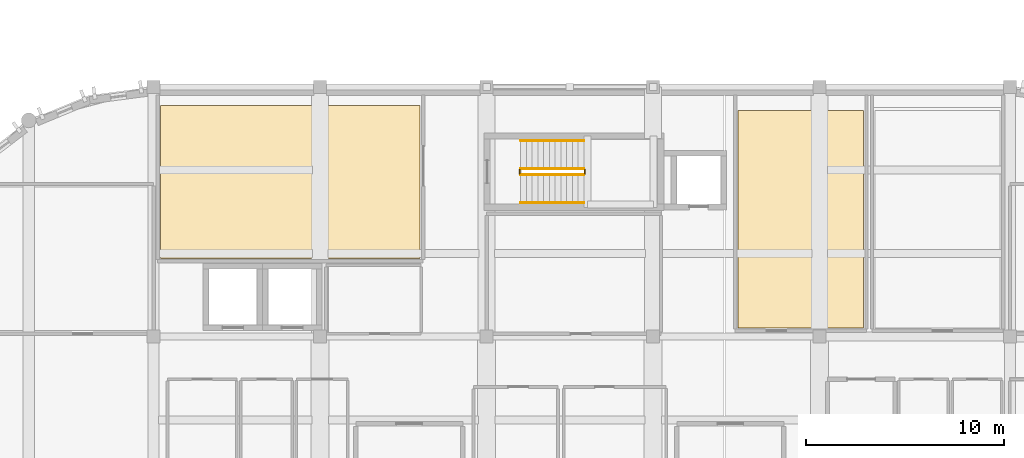
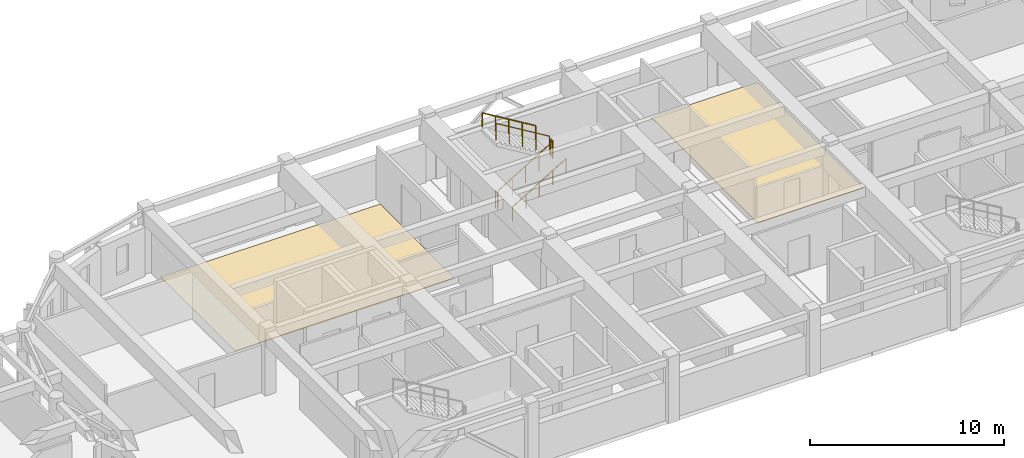
# One storey, part 30 of 31: 6 railings, 2 coverings.
"""IFC4 building model written with IfcOpenShell, lengths in metres."""

from ifc_helpers import new_model, si_unit, direction, frame, origin, origin_2d, place, context, subcontext, project, spatial, polyline, circle, outline, extrude, material, layer, layer_set, type_object, element, save


model = new_model("IFC4")

# Units and contexts
model_context = context("Model", 3, precision=1e-05, world=origin(), true_north=direction((0.0, 1.0)))
body_context = subcontext(model_context, "Body", "Model", "MODEL_VIEW")
ifc_project = project(units=[si_unit("LENGTHUNIT", "METRE"), si_unit("AREAUNIT", "SQUARE_METRE"), si_unit("VOLUMEUNIT", "CUBIC_METRE"), si_unit("PLANEANGLEUNIT", "RADIAN"), si_unit("MASSUNIT", "GRAM", prefix="KILO")], contexts=[model_context])

# Site, building, storey
site_placement = place(None, origin())
site = spatial("IfcSite", under=ifc_project, at=site_placement, CompositionType="ELEMENT")
building_placement = place(site_placement, origin())
building = spatial("IfcBuilding", under=site, at=building_placement, Name="Tarnavel Promenade Courthouse", CompositionType="ELEMENT")
storey_placement = place(building_placement, frame((0.0, 0.0, 18.60009765625)))
storey = spatial("IfcBuildingStorey", under=building, at=storey_placement, Name="L05", CompositionType="ELEMENT", Elevation=18.60009765625)

# Railings
ifc_material_1 = material(Name="Brushed Bronze Tubular Stair Handrail")
railing_type_1 = type_object("IfcRailingType", Name="Brushed Bronze Tubular Stair Handrail (RL-HND-0900)", PredefinedType="HANDRAIL", material=ifc_material_1)
railing_1_placement = place(storey_placement, frame((77.320068359375, 98.550048828125, 0.1748046875)))
element("IfcRailing", 1, at=railing_1_placement, inside=storey, type_object=railing_type_1, Name="L05 ST-03 stair handrail 1", PredefinedType="HANDRAIL", context=body_context, shape_type="SweptSolid", body=[
    extrude(circle(Radius=0.02392578125, at=origin_2d()), frame((0.0, 0.0, 0.8759765625), z_axis=(0.856177665481, 0.0, 0.516681531633), x_axis=(0.0, 1.0, 0.0)), (0.0, 0.0, 1.0), 3.725830078125),
    extrude(circle(Radius=0.02099609375, at=origin_2d()), origin(), (0.0, 0.0, 1.0), 0.851806640625),
    extrude(circle(Radius=0.02099609375, at=origin_2d()), frame((0.79736328125, 0.0, 0.481201171875)), (0.0, 0.0, 1.0), 0.851806640625),
    extrude(circle(Radius=0.02099609375, at=origin_2d()), frame((1.594970703125, 0.0, 0.96240234375)), (0.0, 0.0, 1.0), 0.851806640625),
    extrude(circle(Radius=0.02099609375, at=origin_2d()), frame((2.392578125, 0.0, 1.44384765625)), (0.0, 0.0, 1.0), 0.851806640625),
    extrude(circle(Radius=0.02099609375, at=origin_2d()), frame((3.18994140625, 0.0, 1.925048828125)), (0.0, 0.0, 1.0), 0.851806640625),
])
railing_2_placement = place(storey_placement, frame((80.510009765625, 101.68994140625, 2.27490234375)))
element("IfcRailing", 2, at=railing_2_placement, inside=storey, type_object=railing_type_1, Name="L05 ST-03 stair handrail 2", PredefinedType="HANDRAIL", context=body_context, shape_type="SweptSolid", body=[
    extrude(circle(Radius=0.02392578125, at=origin_2d()), frame((0.0, 0.0, 0.8759765625), z_axis=(-0.856177665481, 0.0, 0.516681531633), x_axis=(0.0, -1.0, 0.0)), (0.0, 0.0, 1.0), 3.725830078125),
    extrude(circle(Radius=0.02099609375, at=origin_2d()), origin(), (0.0, 0.0, 1.0), 0.851806640625),
    extrude(circle(Radius=0.02099609375, at=origin_2d()), frame((-0.79736328125, 0.0, 0.481201171875)), (0.0, 0.0, 1.0), 0.851806640625),
    extrude(circle(Radius=0.02099609375, at=origin_2d()), frame((-1.594970703125, 0.0, 0.96240234375)), (0.0, 0.0, 1.0), 0.851806640625),
    extrude(circle(Radius=0.02099609375, at=origin_2d()), frame((-2.392578125, 0.0, 1.44384765625)), (0.0, 0.0, 1.0), 0.851806640625),
    extrude(circle(Radius=0.02099609375, at=origin_2d()), frame((-3.18994140625, 0.0, 1.925048828125)), (0.0, 0.0, 1.0), 0.851806640625),
])

# Coverings
ifc_material_2 = material(Name="Engineered Smoked Oak Courtroom & Chambers Parquet")
ifc_layer = layer(ifc_material_2, 0.031982421875)
ifc_layer_set = layer_set([ifc_layer], Name="Engineered Smoked Oak Courtroom & Chambers Parquet")
covering_type = type_object("IfcCoveringType", Name="Engineered Smoked Oak Courtroom & Chambers Parquet (COV-FLR-OAK-32)", PredefinedType="FLOORING", material=ifc_layer_set)
covering_1_placement = place(storey_placement, origin())
element("IfcCovering", 3, at=covering_1_placement, inside=storey, type_object=covering_type, Name="L05 Appellate Panel Courtroom C Architectural Flooring 0036", PredefinedType="FLOORING", context=body_context, shape_type="SweptSolid", body=[
    extrude(outline(polyline([(59.14990234375, 95.75), (72.25, 95.75), (72.25, 103.449951171875), (59.14990234375, 103.449951171875), (59.14990234375, 95.75)])), origin(), (0.0, 0.0, 1.0), 0.031982421875),
])
covering_2_placement = place(storey_placement, origin())
element("IfcCovering", 4, at=covering_2_placement, inside=storey, type_object=covering_type, Name="L05 Judges' Chambers L05 West Architectural Flooring 0037", PredefinedType="FLOORING", context=body_context, shape_type="SweptSolid", body=[
    extrude(outline(polyline([(88.2900390625, 92.239990234375), (94.610107421875, 92.239990234375), (94.610107421875, 103.2099609375), (88.2900390625, 103.2099609375), (88.2900390625, 92.239990234375)])), origin(), (0.0, 0.0, 1.0), 0.031982421875),
])

# Railings
ifc_material_3 = material(Name="Painted Architectural Steel Core Stair Guardrail", Category="steel")
railing_type_2 = type_object("IfcRailingType", Name="Painted Architectural Steel Core Stair Guardrail (RL-GRD-1100)", PredefinedType="GUARDRAIL", material=ifc_material_3)
railing_3_placement = place(storey_placement, frame((77.320068359375, 99.969970703125, 0.1748046875)))
element("IfcRailing", 5, at=railing_3_placement, inside=storey, type_object=railing_type_2, Name="L05 ST-03 stair guard 1", PredefinedType="GUARDRAIL", context=body_context, shape_type="SweptSolid", body=[
    extrude(circle(Radius=0.02392578125, at=origin_2d()), frame((0.0, 0.0, 1.076171875), z_axis=(0.856177665481, 0.0, 0.516681531633), x_axis=(0.0, 1.0, 0.0)), (0.0, 0.0, 1.0), 3.725830078125),
    extrude(circle(Radius=0.02099609375, at=origin_2d()), origin(), (0.0, 0.0, 1.0), 1.052001953125),
    extrude(circle(Radius=0.02099609375, at=origin_2d()), frame((0.79736328125, 0.0, 0.481201171875)), (0.0, 0.0, 1.0), 1.052001953125),
    extrude(circle(Radius=0.02099609375, at=origin_2d()), frame((1.594970703125, 0.0, 0.96240234375)), (0.0, 0.0, 1.0), 1.052001953125),
    extrude(circle(Radius=0.02099609375, at=origin_2d()), frame((2.392578125, 0.0, 1.44384765625)), (0.0, 0.0, 1.0), 1.052001953125),
    extrude(circle(Radius=0.02099609375, at=origin_2d()), frame((3.18994140625, 0.0, 1.925048828125)), (0.0, 0.0, 1.0), 1.052001953125),
])
railing_4_placement = place(storey_placement, frame((80.56005859375, 100.02001953125, 2.099853515625)))
element("IfcRailing", 6, at=railing_4_placement, inside=storey, type_object=railing_type_2, Name="L05 ST-03 stair guard 2", PredefinedType="GUARDRAIL", context=body_context, shape_type="SweptSolid", body=[
    extrude(circle(Radius=0.02392578125, at=origin_2d()), frame((0.0, 0.0, 1.076171875), z_axis=(0.0, 1.0, 0.0), x_axis=(-1.0, 0.0, 0.0)), (0.0, 0.0, 1.0), 0.199951171875),
    extrude(circle(Radius=0.02099609375, at=origin_2d()), origin(), (0.0, 0.0, 1.0), 1.052001953125),
    extrude(circle(Radius=0.02099609375, at=origin_2d()), frame((0.0, 0.199951171875, 0.0)), (0.0, 0.0, 1.0), 1.052001953125),
])
railing_5_placement = place(storey_placement, frame((80.510009765625, 100.27001953125, 2.27490234375)))
element("IfcRailing", 7, at=railing_5_placement, inside=storey, type_object=railing_type_2, Name="L05 ST-03 stair guard 3", PredefinedType="GUARDRAIL", context=body_context, shape_type="SweptSolid", body=[
    extrude(circle(Radius=0.02392578125, at=origin_2d()), frame((0.0, 0.0, 1.076171875), z_axis=(-0.856177665481, 0.0, 0.516681531633), x_axis=(0.0, -1.0, 0.0)), (0.0, 0.0, 1.0), 3.725830078125),
    extrude(circle(Radius=0.02099609375, at=origin_2d()), origin(), (0.0, 0.0, 1.0), 1.052001953125),
    extrude(circle(Radius=0.02099609375, at=origin_2d()), frame((-0.79736328125, 0.0, 0.481201171875)), (0.0, 0.0, 1.0), 1.052001953125),
    extrude(circle(Radius=0.02099609375, at=origin_2d()), frame((-1.594970703125, 0.0, 0.96240234375)), (0.0, 0.0, 1.0), 1.052001953125),
    extrude(circle(Radius=0.02099609375, at=origin_2d()), frame((-2.392578125, 0.0, 1.44384765625)), (0.0, 0.0, 1.0), 1.052001953125),
    extrude(circle(Radius=0.02099609375, at=origin_2d()), frame((-3.18994140625, 0.0, 1.925048828125)), (0.0, 0.0, 1.0), 1.052001953125),
])
railing_6_placement = place(storey_placement, frame((77.27001953125, 100.02001953125, 0.0)))
element("IfcRailing", 8, at=railing_6_placement, inside=storey, type_object=railing_type_2, Name="L05 ST-03 stair guard 4", PredefinedType="GUARDRAIL", context=body_context, shape_type="SweptSolid", body=[
    extrude(circle(Radius=0.02392578125, at=origin_2d()), frame((0.0, 0.0, 1.076171875), z_axis=(0.0, 1.0, 0.0), x_axis=(-1.0, 0.0, 0.0)), (0.0, 0.0, 1.0), 0.199951171875),
    extrude(circle(Radius=0.02099609375, at=origin_2d()), origin(), (0.0, 0.0, 1.0), 1.052001953125),
    extrude(circle(Radius=0.02099609375, at=origin_2d()), frame((0.0, 0.199951171875, 0.0)), (0.0, 0.0, 1.0), 1.052001953125),
])

save(model, "model.ifc")
